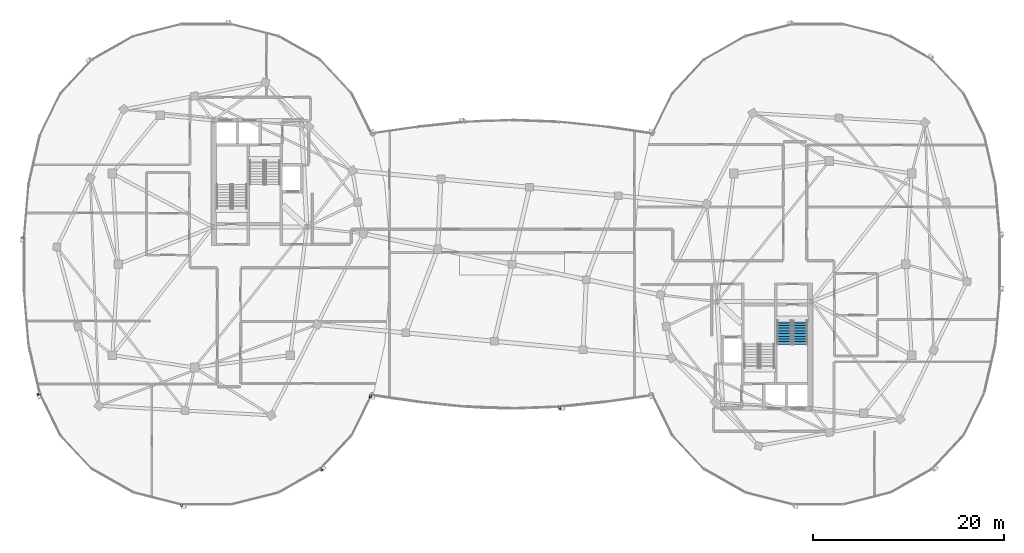
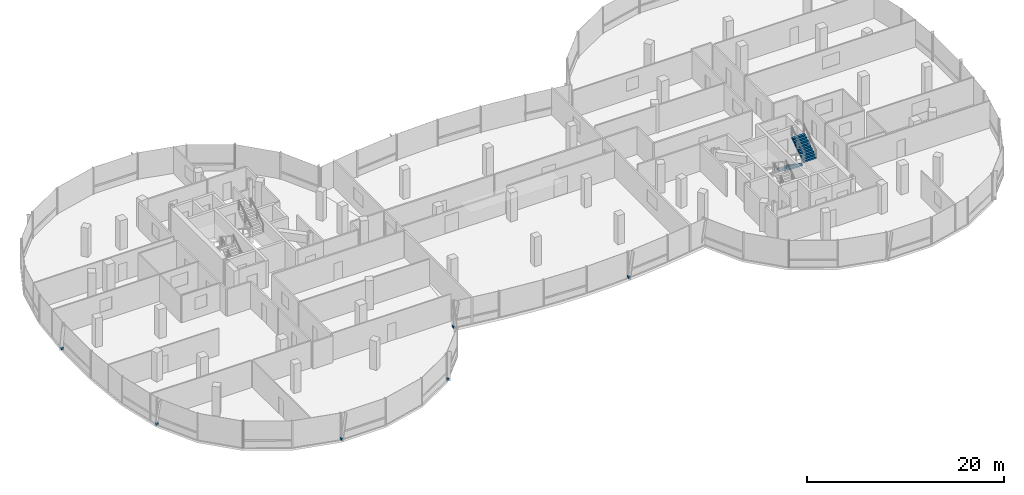
# One storey, part 18 of 26: 6 discrete accessories, 2 stair flights, 1 element without a shape of its own.
"""IFC4 building model written with IfcOpenShell, lengths in metres."""

from ifc_helpers import new_model, si_unit, direction, frame, origin, origin_2d, place, context, subcontext, project, spatial, polyline, rectangle, outline, extrude, material, type_object, element, aggregate, save


model = new_model("IFC4")

# Units and contexts
model_context = context("Model", 3, precision=1e-05, world=origin(), true_north=direction((0.0, 1.0)))
body_context = subcontext(model_context, "Body", "Model", "MODEL_VIEW")
ifc_project = project(units=[si_unit("LENGTHUNIT", "METRE"), si_unit("AREAUNIT", "SQUARE_METRE"), si_unit("VOLUMEUNIT", "CUBIC_METRE"), si_unit("PLANEANGLEUNIT", "RADIAN"), si_unit("MASSUNIT", "GRAM", prefix="KILO"), si_unit("THERMODYNAMICTEMPERATUREUNIT", "KELVIN"), si_unit("POWERUNIT", "WATT")], contexts=[model_context])

# Site, building, storey
site_placement = place(None, origin())
site = spatial("IfcSite", under=ifc_project, at=site_placement, CompositionType="ELEMENT")
building_placement = place(site_placement, origin())
building = spatial("IfcBuilding", under=site, at=building_placement, Name="Cundina Bronze Exchange", CompositionType="ELEMENT")
storey_placement = place(building_placement, frame((0.0, 0.0, 243.199951171875)))
storey = spatial("IfcBuildingStorey", under=building, at=storey_placement, Name="L64", CompositionType="ELEMENT", Elevation=243.199951171875)

# Stair, stair flights
ifc_material_1 = material(Name="Concrete C40/50", Category="concrete")
stair_type = type_object("IfcStairType", Name="STR-OFF-360", PredefinedType="HALF_TURN_STAIR", material=ifc_material_1)
stair_placement = place(storey_placement, origin())
stair = element("IfcStair", 1, at=stair_placement, inside=storey, type_object=stair_type, Name="L64 Smokeproof Exit Stair E1", PredefinedType="HALF_TURN_STAIR")
stair_flight_type = type_object("IfcStairFlightType", Name="FLG-OFF-180", PredefinedType="STRAIGHT", material=ifc_material_1)
stair_flight_1_placement = place(storey_placement, frame((28.489990234375, -5.85009765625, 0.0), z_axis=(0.0, 0.0, 1.0), x_axis=(0.0, -1.0, 0.0)))
stair_flight_1 = element("IfcStairFlight", 2, at=stair_flight_1_placement, type_object=stair_flight_type, Name="ST-E1 flight 1", NumberOfRisers=10, NumberOfTreads=9, PredefinedType="STRAIGHT", RiserHeight=0.18, TreadLength=0.28, context=body_context, shape_type="SweptSolid", body=[
    extrude(outline(polyline([(0.0, 0.0), (0.0, 0.179931640625), (0.280029296875, 0.179931640625), (0.280029296875, 0.360107421875), (0.56005859375, 0.360107421875), (0.56005859375, 0.5400390625), (0.840087890625, 0.5400390625), (0.840087890625, 0.719970703125), (1.1201171875, 0.719970703125), (1.1201171875, 0.89990234375), (1.39990234375, 0.89990234375), (1.39990234375, 1.080078125), (1.679931640625, 1.080078125), (1.679931640625, 1.260009765625), (1.9599609375, 1.260009765625), (1.9599609375, 1.43994140625), (2.239990234375, 1.43994140625), (2.239990234375, 1.6201171875), (2.52001953125, 1.6201171875), (2.52001953125, 1.800048828125), (2.52001953125, 1.44189453125), (0.277099609375, 0.0), (0.0, 0.0)])), frame((0.0, 0.75, 0.0), z_axis=(0.0, -1.0, 0.0), x_axis=(1.0, 0.0, 0.0)), (0.0, 0.0, 1.0), 1.5),
])
stair_flight_2_placement = place(storey_placement, frame((30.14990234375, -8.3701171875, 1.800048828125), z_axis=(0.0, 0.0, 1.0), x_axis=(0.0, 1.0, 0.0)))
stair_flight_2 = element("IfcStairFlight", 3, at=stair_flight_2_placement, type_object=stair_flight_type, Name="ST-E1 flight 2", NumberOfRisers=10, NumberOfTreads=9, PredefinedType="STRAIGHT", RiserHeight=0.18, TreadLength=0.28, context=body_context, shape_type="SweptSolid", body=[
    extrude(outline(polyline([(0.0, 0.0), (0.0, 0.179931640625), (0.280029296875, 0.179931640625), (0.280029296875, 0.360107421875), (0.56005859375, 0.360107421875), (0.56005859375, 0.5400390625), (0.840087890625, 0.5400390625), (0.840087890625, 0.719970703125), (1.1201171875, 0.719970703125), (1.1201171875, 0.89990234375), (1.39990234375, 0.89990234375), (1.39990234375, 1.080078125), (1.679931640625, 1.080078125), (1.679931640625, 1.260009765625), (1.9599609375, 1.260009765625), (1.9599609375, 1.43994140625), (2.239990234375, 1.43994140625), (2.239990234375, 1.6201171875), (2.52001953125, 1.6201171875), (2.52001953125, 1.800048828125), (2.52001953125, 1.44189453125), (0.277099609375, 0.0), (0.0, 0.0)])), frame((0.0, 0.75, 0.0), z_axis=(0.0, -1.0, 0.0), x_axis=(1.0, 0.0, 0.0)), (0.0, 0.0, 1.0), 1.5),
])
aggregate(stair, [stair_flight_1, stair_flight_2])

# Discrete accessories
ifc_material_2 = material(Name="Anodised Bronze Aluminium 6063-T6", Category="aluminium")
discrete_accessory_type = type_object("IfcDiscreteAccessoryType", Name="ACC-BRK-FIN", PredefinedType="BRACKET", material=ifc_material_2)
for number, where, z_axis, x_axis, name in (
    (4, (-51.158935546875, 2.79150390625, 0.10009765625), (0.0, 0.0, 1.0), (0.0, -1.0, 0.0), "L64 Fin Support Bracket 5"),
    (5, (-49.494873046875, -13.565673828125, 0.10009765625), (0.0, 0.0, 1.0), (0.440503330345, -0.897750976582, 0.0), "L64 Fin Support Bracket 1"),
    (6, (-34.576416015625, -25.25, 0.10009765625), (0.0, 0.0, 1.0), (1.0, 0.0, 0.0), "L64 Fin Support Bracket 5"),
    (7, (-19.957763671875, -21.4755859375, 0.10009765625), (0.0, 0.0, 1.0), (0.684343512797, 0.72915976061, 0.0), "L64 Fin Support Bracket 1"),
    (8, (-14.799560546875, -13.79736328125, 0.10009765625), (0.0, 0.0, 1.0), (0.989528308409, -0.144338930496, 0.0), "L64 Fin Support Bracket 1"),
    (9, (5.003173828125, -15.01953125, 0.10009765625), (0.0, 0.0, 1.0), (0.994672274174, 0.103087666525, 0.0), "L64 Fin Support Bracket 5"),
):
    element("IfcDiscreteAccessory", number, at=place(storey_placement, frame(where, z_axis=z_axis, x_axis=x_axis)), inside=storey, type_object=discrete_accessory_type, Name=name, PredefinedType="BRACKET", context=body_context, shape_type="SweptSolid", body=[
        extrude(rectangle(XDim=0.219970703125, YDim=0.320068359375, at=origin_2d()), origin(), (0.0, 0.0, 1.0), 0.239990234375),
    ])

save(model, "model.ifc")
